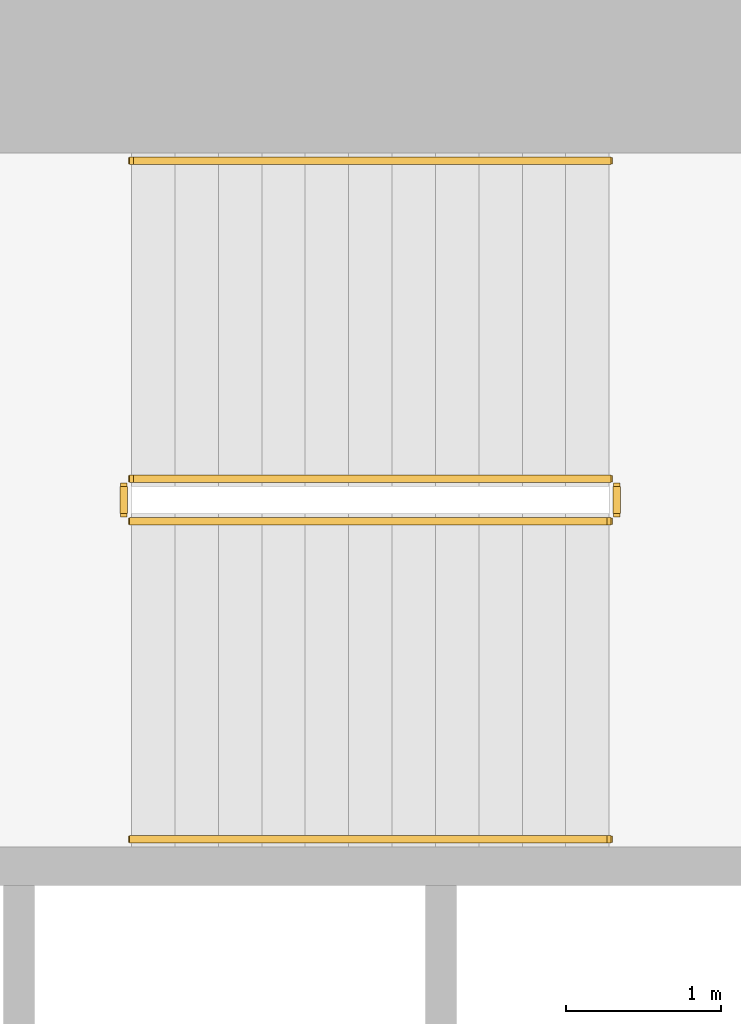
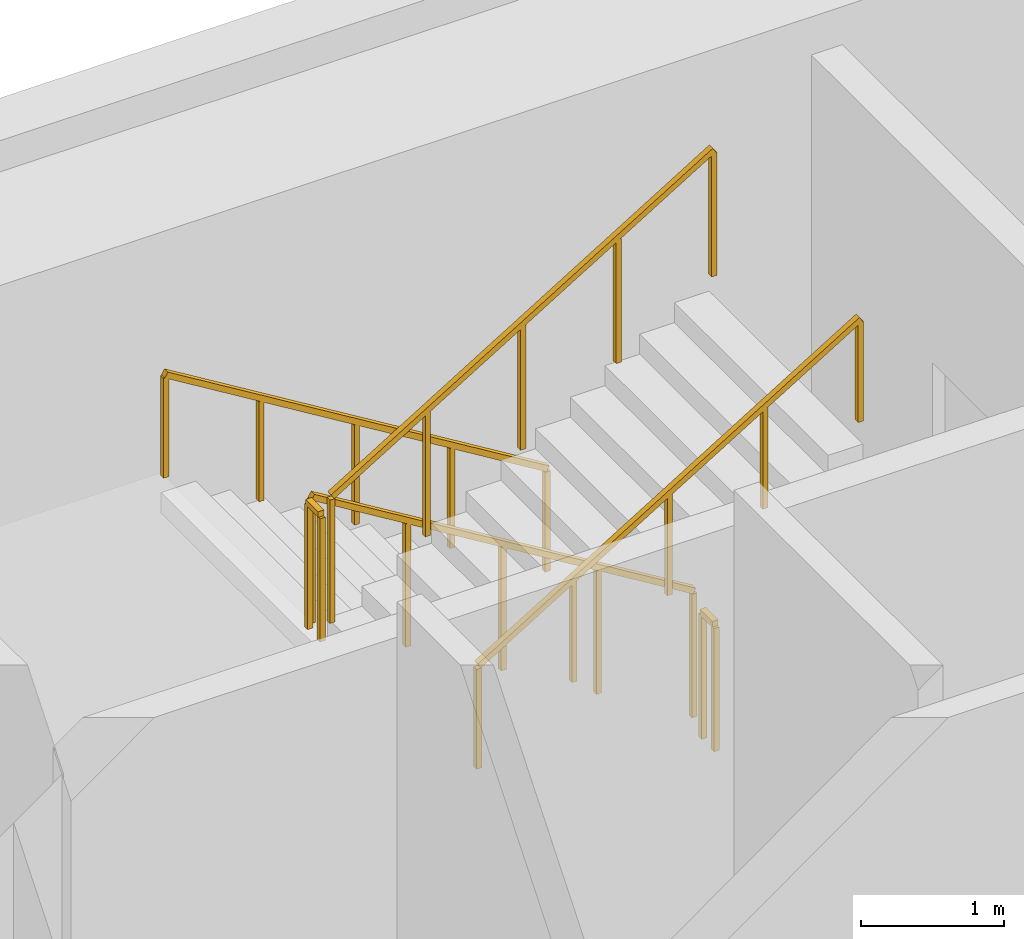
# One storey, part 12 of 14: 6 railings.
"""IFC4 building model written with IfcOpenShell, lengths in metres."""

from ifc_helpers import new_model, si_unit, direction, frame, origin, origin_2d, place, context, subcontext, project, spatial, rectangle, extrude, material, type_object, element, save


model = new_model("IFC4")

# Units and contexts
model_context = context("Model", 3, precision=1e-05, world=origin(), true_north=direction((0.0, 1.0)))
body_context = subcontext(model_context, "Body", "Model", "MODEL_VIEW")
ifc_project = project(units=[si_unit("LENGTHUNIT", "METRE"), si_unit("AREAUNIT", "SQUARE_METRE"), si_unit("VOLUMEUNIT", "CUBIC_METRE"), si_unit("PLANEANGLEUNIT", "RADIAN"), si_unit("MASSUNIT", "GRAM", prefix="KILO")], contexts=[model_context])

# Site, building, storey
site_placement = place(None, origin())
site = spatial("IfcSite", under=ifc_project, at=site_placement, CompositionType="ELEMENT")
building_placement = place(site_placement, origin())
building = spatial("IfcBuilding", under=site, at=building_placement, Name="Cypress Arch Tower", CompositionType="ELEMENT")
storey_placement = place(building_placement, frame((0.0, 0.0, 222.0)))
storey = spatial("IfcBuildingStorey", under=building, at=storey_placement, Name="L49", CompositionType="ELEMENT", Elevation=222.0)

# Railings
ifc_material_1 = material(Name="Black powder-coated steel square bar 48 mm", Category="steel")
railing_type_1 = type_object("IfcRailingType", Name="Stair handrail HR1", PredefinedType="HANDRAIL", material=ifc_material_1)
railing_1_placement = place(storey_placement, frame((-22.27490234375, 14.75, 0.1708984375)))
element("IfcRailing", 1, at=railing_1_placement, inside=storey, type_object=railing_type_1, Name="L49 B stair handrail 1", PredefinedType="HANDRAIL", context=body_context, shape_type="SweptSolid", body=[
    extrude(rectangle(XDim=0.048095703125, YDim=0.048095703125, at=origin_2d()), frame((0.0, 0.0, 0.8759765625), z_axis=(-0.853666305674, 0.0, 0.52082035152), x_axis=(0.0, -1.0, 0.0)), (0.0, 0.0, 1.0), 3.608154296875),
    extrude(rectangle(XDim=0.0419921875, YDim=0.0419921875, at=origin_2d()), origin(), (0.0, 0.0, 1.0), 0.851806640625),
    extrude(rectangle(XDim=0.0419921875, YDim=0.0419921875, at=origin_2d()), frame((-0.77001953125, 0.0, 0.4697265625)), (0.0, 0.0, 1.0), 0.851806640625),
    extrude(rectangle(XDim=0.0419921875, YDim=0.0419921875, at=origin_2d()), frame((-1.5400390625, 0.0, 0.939453125)), (0.0, 0.0, 1.0), 0.851806640625),
    extrude(rectangle(XDim=0.0419921875, YDim=0.0419921875, at=origin_2d()), frame((-2.31005859375, 0.0, 1.409423828125)), (0.0, 0.0, 1.0), 0.851806640625),
    extrude(rectangle(XDim=0.0419921875, YDim=0.0419921875, at=origin_2d()), frame((-3.080078125, 0.0, 1.879150390625)), (0.0, 0.0, 1.0), 0.851806640625),
])
railing_2_placement = place(storey_placement, frame((-25.35498046875, 10.375, 2.220947265625)))
element("IfcRailing", 2, at=railing_2_placement, inside=storey, type_object=railing_type_1, Name="L49 B stair handrail 2", PredefinedType="HANDRAIL", context=body_context, shape_type="SweptSolid", body=[
    extrude(rectangle(XDim=0.048095703125, YDim=0.048095703125, at=origin_2d()), frame((0.0, 0.0, 0.8759765625), z_axis=(0.853666305674, 0.0, 0.52082035152), x_axis=(0.0, 1.0, 0.0)), (0.0, 0.0, 1.0), 3.608154296875),
    extrude(rectangle(XDim=0.0419921875, YDim=0.0419921875, at=origin_2d()), origin(), (0.0, 0.0, 1.0), 0.851806640625),
    extrude(rectangle(XDim=0.0419921875, YDim=0.0419921875, at=origin_2d()), frame((0.77001953125, 0.0, 0.4697265625)), (0.0, 0.0, 1.0), 0.851806640625),
    extrude(rectangle(XDim=0.0419921875, YDim=0.0419921875, at=origin_2d()), frame((1.5400390625, 0.0, 0.939453125)), (0.0, 0.0, 1.0), 0.851806640625),
    extrude(rectangle(XDim=0.0419921875, YDim=0.0419921875, at=origin_2d()), frame((2.31005859375, 0.0, 1.409423828125)), (0.0, 0.0, 1.0), 0.851806640625),
    extrude(rectangle(XDim=0.0419921875, YDim=0.0419921875, at=origin_2d()), frame((3.080078125, 0.0, 1.879150390625)), (0.0, 0.0, 1.0), 0.851806640625),
])
ifc_material_2 = material(Name="Black powder-coated steel balusters", Category="steel")
railing_type_2 = type_object("IfcRailingType", Name="Stair well guard G1", PredefinedType="GUARDRAIL", material=ifc_material_2)
railing_3_placement = place(storey_placement, frame((-22.27490234375, 12.699951171875, 0.1708984375)))
element("IfcRailing", 3, at=railing_3_placement, inside=storey, type_object=railing_type_2, Name="L49 B stair guard 1", PredefinedType="GUARDRAIL", context=body_context, shape_type="SweptSolid", body=[
    extrude(rectangle(XDim=0.048095703125, YDim=0.048095703125, at=origin_2d()), frame((0.0, 0.0, 1.076171875), z_axis=(-0.853666305674, 0.0, 0.52082035152), x_axis=(0.0, -1.0, 0.0)), (0.0, 0.0, 1.0), 3.608154296875),
    extrude(rectangle(XDim=0.0419921875, YDim=0.0419921875, at=origin_2d()), origin(), (0.0, 0.0, 1.0), 1.052001953125),
    extrude(rectangle(XDim=0.0419921875, YDim=0.0419921875, at=origin_2d()), frame((-0.77001953125, 0.0, 0.4697265625)), (0.0, 0.0, 1.0), 1.052001953125),
    extrude(rectangle(XDim=0.0419921875, YDim=0.0419921875, at=origin_2d()), frame((-1.5400390625, 0.0, 0.939453125)), (0.0, 0.0, 1.0), 1.052001953125),
    extrude(rectangle(XDim=0.0419921875, YDim=0.0419921875, at=origin_2d()), frame((-2.31005859375, 0.0, 1.409423828125)), (0.0, 0.0, 1.0), 1.052001953125),
    extrude(rectangle(XDim=0.0419921875, YDim=0.0419921875, at=origin_2d()), frame((-3.080078125, 0.0, 1.879150390625)), (0.0, 0.0, 1.0), 1.052001953125),
])
railing_4_placement = place(storey_placement, frame((-25.405029296875, 12.64990234375, 2.050048828125)))
element("IfcRailing", 4, at=railing_4_placement, inside=storey, type_object=railing_type_2, Name="L49 B stair guard 2", PredefinedType="GUARDRAIL", context=body_context, shape_type="SweptSolid", body=[
    extrude(rectangle(XDim=0.048095703125, YDim=0.048095703125, at=origin_2d()), frame((0.0, 0.0, 1.076171875), z_axis=(0.0, -1.0, 0.0), x_axis=(1.0, 0.0, 0.0)), (0.0, 0.0, 1.0), 0.1748046875),
    extrude(rectangle(XDim=0.0419921875, YDim=0.0419921875, at=origin_2d()), origin(), (0.0, 0.0, 1.0), 1.052001953125),
    extrude(rectangle(XDim=0.0419921875, YDim=0.0419921875, at=origin_2d()), frame((0.0, -0.1748046875, 0.0)), (0.0, 0.0, 1.0), 1.052001953125),
])
railing_5_placement = place(storey_placement, frame((-25.35498046875, 12.425048828125, 2.220947265625)))
element("IfcRailing", 5, at=railing_5_placement, inside=storey, type_object=railing_type_2, Name="L49 B stair guard 3", PredefinedType="GUARDRAIL", context=body_context, shape_type="SweptSolid", body=[
    extrude(rectangle(XDim=0.048095703125, YDim=0.048095703125, at=origin_2d()), frame((0.0, 0.0, 1.076171875), z_axis=(0.853666305674, 0.0, 0.52082035152), x_axis=(0.0, 1.0, 0.0)), (0.0, 0.0, 1.0), 3.608154296875),
    extrude(rectangle(XDim=0.0419921875, YDim=0.0419921875, at=origin_2d()), origin(), (0.0, 0.0, 1.0), 1.052001953125),
    extrude(rectangle(XDim=0.0419921875, YDim=0.0419921875, at=origin_2d()), frame((0.77001953125, 0.0, 0.4697265625)), (0.0, 0.0, 1.0), 1.052001953125),
    extrude(rectangle(XDim=0.0419921875, YDim=0.0419921875, at=origin_2d()), frame((1.5400390625, 0.0, 0.939453125)), (0.0, 0.0, 1.0), 1.052001953125),
    extrude(rectangle(XDim=0.0419921875, YDim=0.0419921875, at=origin_2d()), frame((2.31005859375, 0.0, 1.409423828125)), (0.0, 0.0, 1.0), 1.052001953125),
    extrude(rectangle(XDim=0.0419921875, YDim=0.0419921875, at=origin_2d()), frame((3.080078125, 0.0, 1.879150390625)), (0.0, 0.0, 1.0), 1.052001953125),
])
railing_6_placement = place(storey_placement, frame((-22.22509765625, 12.64990234375, 0.0)))
element("IfcRailing", 6, at=railing_6_placement, inside=storey, type_object=railing_type_2, Name="L49 B stair guard 4", PredefinedType="GUARDRAIL", context=body_context, shape_type="SweptSolid", body=[
    extrude(rectangle(XDim=0.048095703125, YDim=0.048095703125, at=origin_2d()), frame((0.0, 0.0, 1.076171875), z_axis=(0.0, -1.0, 0.0), x_axis=(1.0, 0.0, 0.0)), (0.0, 0.0, 1.0), 0.1748046875),
    extrude(rectangle(XDim=0.0419921875, YDim=0.0419921875, at=origin_2d()), origin(), (0.0, 0.0, 1.0), 1.052001953125),
    extrude(rectangle(XDim=0.0419921875, YDim=0.0419921875, at=origin_2d()), frame((0.0, -0.1748046875, 0.0)), (0.0, 0.0, 1.0), 1.052001953125),
])

save(model, "model.ifc")
